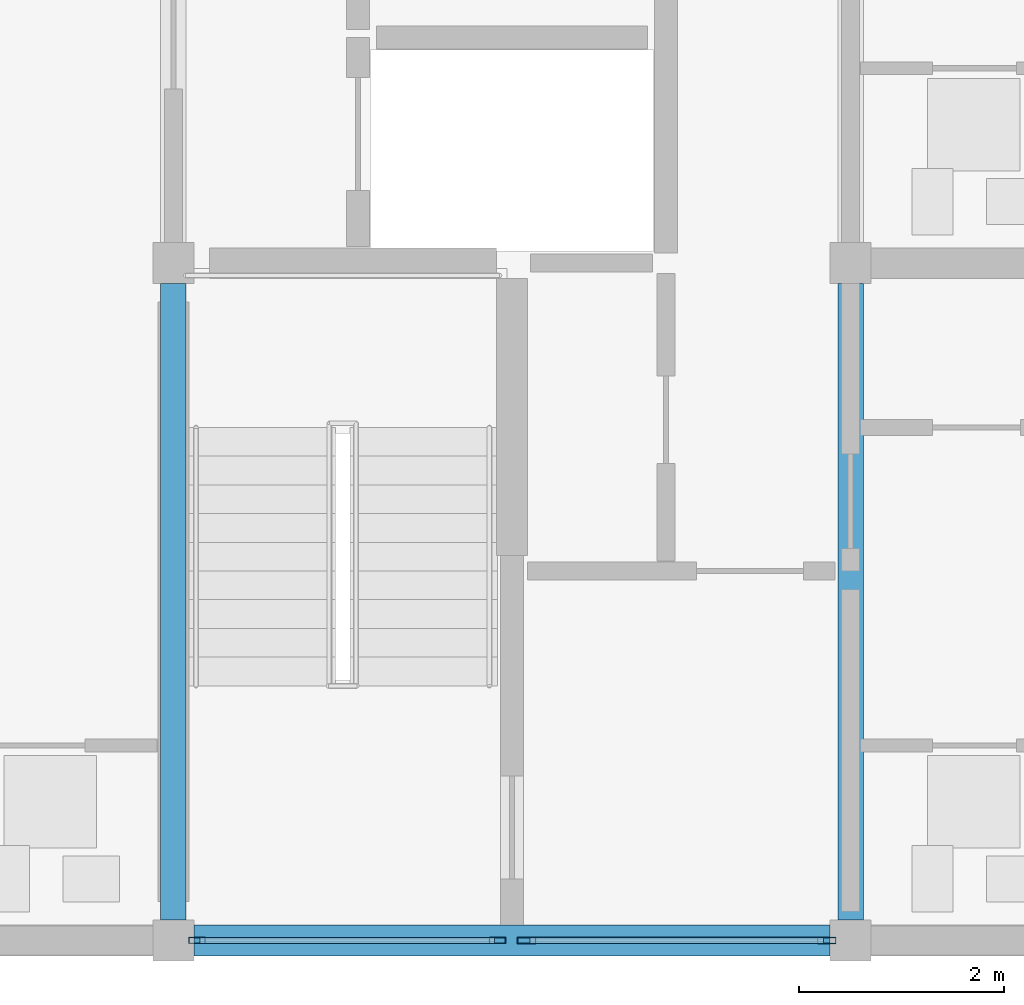
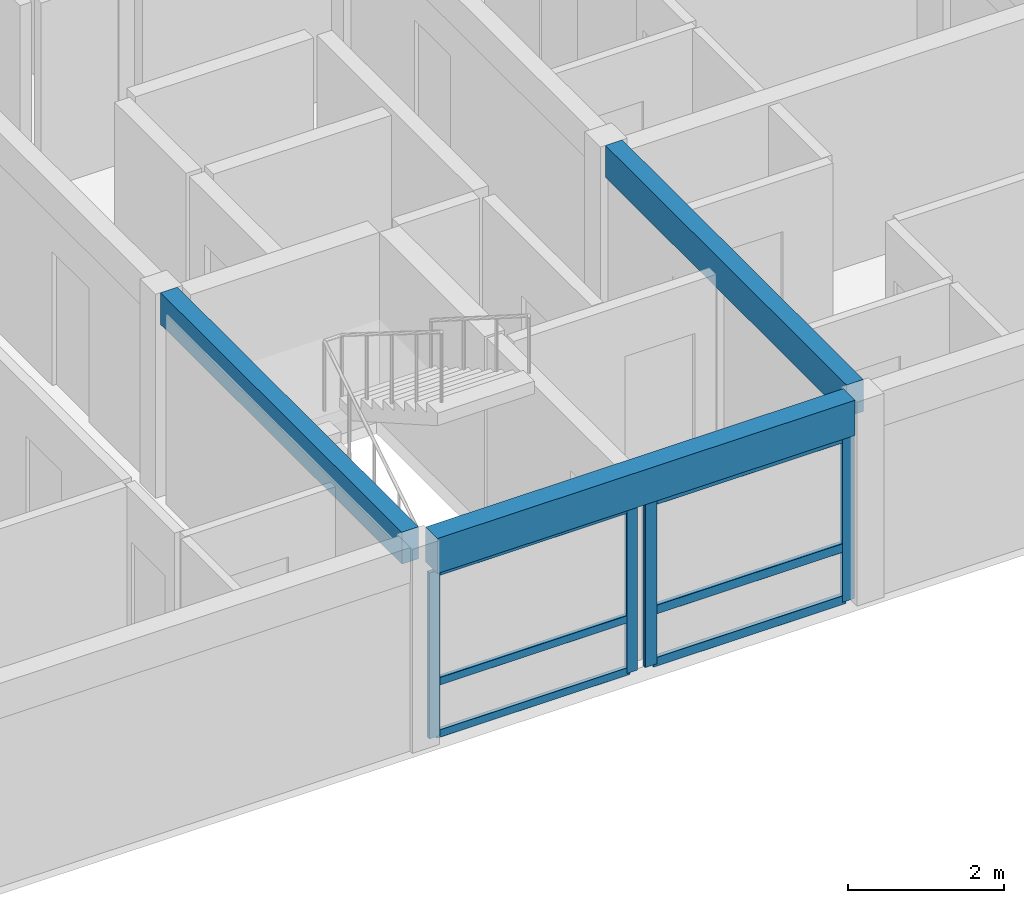
# One storey, part 5 of 34: 10 members, 3 beams, 2 elements without a shape of their own.
"""IFC4 building model written with IfcOpenShell, lengths in metres."""

from ifc_helpers import new_model, si_unit, direction, frame, origin, origin_2d, place, context, subcontext, project, spatial, rectangle, hollow_rectangle, extrude, material, material_profile, profile_set, type_object, element, aggregate, save


model = new_model("IFC4")

# Units and contexts
model_context = context("Model", 3, precision=1e-05, world=origin(), true_north=direction((0.0, 1.0)))
body_context = subcontext(model_context, "Body", "Model", "MODEL_VIEW")
ifc_project = project(units=[si_unit("LENGTHUNIT", "METRE"), si_unit("AREAUNIT", "SQUARE_METRE"), si_unit("VOLUMEUNIT", "CUBIC_METRE"), si_unit("PLANEANGLEUNIT", "RADIAN"), si_unit("MASSUNIT", "GRAM", prefix="KILO")], contexts=[model_context])

# Site, building, storey
site_placement = place(None, origin())
site = spatial("IfcSite", under=ifc_project, at=site_placement, CompositionType="ELEMENT")
building_placement = place(site_placement, origin())
building = spatial("IfcBuilding", under=site, at=building_placement, Name="Kernevlak Ridge Housing Community", CompositionType="ELEMENT")
storey_placement = place(building_placement, frame((0.0, 0.0, 34.0)))
storey = spatial("IfcBuildingStorey", under=building, at=storey_placement, Name="L10", CompositionType="ELEMENT", Elevation=34.0)

# Beams
ifc_material_1 = material(Name="Concrete C35/45", Category="concrete")
ifc_material_profile_1 = material_profile(ifc_material_1, rectangle(XDim=0.25, YDim=0.5, at=origin_2d()), Name="RC 250x500")
ifc_profile_set_1 = profile_set([ifc_material_profile_1], Name="Concrete C35/45")
beam_type_1 = type_object("IfcBeamType", Name="B-06", PredefinedType="T_BEAM", material=ifc_profile_set_1)
for number, where, z_axis, x_axis, name in (
    (1, (132.60009765625, 15.800048828125, 2.949951171875), (0.0, 1.0, 0.0), (-1.0, 0.0, 0.0), "Beam B-06 L10 1226"),
    (2, (139.199951171875, 15.800048828125, 2.949951171875), (0.0, 1.0, 0.0), (-1.0, 0.0, 0.0), "Beam B-06 L10 1230"),
):
    element("IfcBeam", number, at=place(storey_placement, frame(where, z_axis=z_axis, x_axis=x_axis)), inside=storey, type_object=beam_type_1, Name=name, PredefinedType="T_BEAM", context=body_context, shape_type="SweptSolid", body=[
        extrude(rectangle(XDim=0.25, YDim=0.5, at=origin_2d()), origin(), (0.0, 0.0, 1.0), 6.199951171875),
    ])

# Curtain wall, members
ifc_material_2 = material(Name="Aluminium EN AW-6060 anodised and laminated glass", Category="aluminium")
curtain_wall_type_1 = type_object("IfcCurtainWallType", Name="CW-07", PredefinedType="NOTDEFINED", material=ifc_material_2)
curtain_wall_1_placement = place(storey_placement, origin())
curtain_wall_1 = element("IfcCurtainWall", 3, at=curtain_wall_1_placement, inside=storey, type_object=curtain_wall_type_1, Name="Curtain wall CW-07 CW-L10-130", PredefinedType="NOTDEFINED")
ifc_material_3 = material(Name="Aluminium EN AW-6060 anodised", Category="aluminium")
ifc_material_profile_2 = material_profile(ifc_material_3, hollow_rectangle(XDim=0.06005859375, YDim=0.159912109375, WallThickness=0.00390625, InnerFilletRadius=0.001953125, OuterFilletRadius=0.00390625, at=origin_2d()), Name="ALU 60x160x4")
ifc_profile_set_2 = profile_set([ifc_material_profile_2], Name="Aluminium EN AW-6060 anodised")
member_type_1 = type_object("IfcMemberType", Name="MU-02", PredefinedType="MULLION", material=ifc_profile_set_2)
member_1_placement = place(storey_placement, frame((132.830078125, 15.60009765625, 0.0), z_axis=(0.0, 0.0, 1.0), x_axis=(0.0, 1.0, 0.0)))
member_1 = element("IfcMember", 4, at=member_1_placement, type_object=member_type_1, Name="CW-07 mullion 1", PredefinedType="MULLION", context=body_context, shape_type="SweptSolid", body=[
    extrude(hollow_rectangle(XDim=0.06005859375, YDim=0.159912109375, WallThickness=0.00390625, InnerFilletRadius=0.001953125, OuterFilletRadius=0.00390625, at=origin_2d()), origin(), (0.0, 0.0, 1.0), 2.60009765625),
])
member_2_placement = place(storey_placement, frame((135.760009765625, 15.60009765625, 0.0), z_axis=(0.0, 0.0, 1.0), x_axis=(0.0, 1.0, 0.0)))
member_2 = element("IfcMember", 5, at=member_2_placement, type_object=member_type_1, Name="CW-07 mullion 2", PredefinedType="MULLION", context=body_context, shape_type="SweptSolid", body=[
    extrude(hollow_rectangle(XDim=0.06005859375, YDim=0.159912109375, WallThickness=0.00390625, InnerFilletRadius=0.001953125, OuterFilletRadius=0.00390625, at=origin_2d()), origin(), (0.0, 0.0, 1.0), 2.60009765625),
])

curtain_wall_type_2 = type_object("IfcCurtainWallType", Name="CW-14", PredefinedType="NOTDEFINED", material=ifc_material_2)
curtain_wall_2_placement = place(storey_placement, origin())
curtain_wall_2 = element("IfcCurtainWall", 6, at=curtain_wall_2_placement, inside=storey, type_object=curtain_wall_type_2, Name="Curtain wall CW-14 CW-L10-131", PredefinedType="NOTDEFINED")
ifc_material_profile_3 = material_profile(ifc_material_3, hollow_rectangle(XDim=0.06494140625, YDim=0.179931640625, WallThickness=0.00439453125, InnerFilletRadius=0.001953125, OuterFilletRadius=0.00439453125, at=origin_2d()), Name="ALU 65x180x4.5")
ifc_profile_set_3 = profile_set([ifc_material_profile_3], Name="Aluminium EN AW-6060 anodised")
member_type_2 = type_object("IfcMemberType", Name="MU-03", PredefinedType="MULLION", material=ifc_profile_set_3)
member_3_placement = place(storey_placement, frame((136.04248046875, 15.60009765625, 0.0), z_axis=(0.0, 0.0, 1.0), x_axis=(0.0, 1.0, 0.0)))
member_3 = element("IfcMember", 7, at=member_3_placement, type_object=member_type_2, Name="CW-14 mullion 1", PredefinedType="MULLION", context=body_context, shape_type="SweptSolid", body=[
    extrude(hollow_rectangle(XDim=0.06494140625, YDim=0.179931640625, WallThickness=0.00439453125, InnerFilletRadius=0.001953125, OuterFilletRadius=0.00439453125, at=origin_2d()), origin(), (0.0, 0.0, 1.0), 2.60009765625),
])
member_4_placement = place(storey_placement, frame((138.967529296875, 15.60009765625, 0.0), z_axis=(0.0, 0.0, 1.0), x_axis=(0.0, 1.0, 0.0)))
member_4 = element("IfcMember", 8, at=member_4_placement, type_object=member_type_2, Name="CW-14 mullion 2", PredefinedType="MULLION", context=body_context, shape_type="SweptSolid", body=[
    extrude(hollow_rectangle(XDim=0.06494140625, YDim=0.179931640625, WallThickness=0.00439453125, InnerFilletRadius=0.001953125, OuterFilletRadius=0.00439453125, at=origin_2d()), origin(), (0.0, 0.0, 1.0), 2.60009765625),
])

# Beam
ifc_material_profile_4 = material_profile(ifc_material_1, rectangle(XDim=0.300048828125, YDim=0.550048828125, at=origin_2d()), Name="RC 300x550")
ifc_profile_set_4 = profile_set([ifc_material_profile_4], Name="Concrete C35/45")
beam_type_2 = type_object("IfcBeamType", Name="SP-01", PredefinedType="SPANDREL", material=ifc_profile_set_4)
beam_placement = place(storey_placement, frame((132.800048828125, 15.60009765625, 2.925048828125), z_axis=(1.0, 0.0, 0.0), x_axis=(0.0, 1.0, 0.0)))
element("IfcBeam", 9, at=beam_placement, inside=storey, type_object=beam_type_2, Name="Beam SP-01 L10 1239", PredefinedType="SPANDREL", context=body_context, shape_type="SweptSolid", body=[
    extrude(rectangle(XDim=0.300048828125, YDim=0.550048828125, at=origin_2d()), origin(), (0.0, 0.0, 1.0), 6.199951171875),
])

# Member
ifc_material_profile_5 = material_profile(ifc_material_3, hollow_rectangle(XDim=0.06005859375, YDim=0.1201171875, WallThickness=0.00390625, InnerFilletRadius=0.001953125, OuterFilletRadius=0.00390625, at=origin_2d()), Name="ALU 60x120x4")
ifc_profile_set_5 = profile_set([ifc_material_profile_5], Name="Aluminium EN AW-6060 anodised")
member_type_3 = type_object("IfcMemberType", Name="TM-02", PredefinedType="USERDEFINED", material=ifc_profile_set_5)
member_5_placement = place(storey_placement, frame((132.860107421875, 15.60009765625, 0.030029296875), z_axis=(1.0, 0.0, 0.0), x_axis=(0.0, 1.0, 0.0)))
member_5 = element("IfcMember", 10, at=member_5_placement, type_object=member_type_3, Name="CW-07 transom 1.1", ObjectType="TRANSOM", PredefinedType="USERDEFINED", context=body_context, shape_type="SweptSolid", body=[
    extrude(hollow_rectangle(XDim=0.06005859375, YDim=0.1201171875, WallThickness=0.00390625, InnerFilletRadius=0.001953125, OuterFilletRadius=0.00390625, at=origin_2d()), origin(), (0.0, 0.0, 1.0), 2.869873046875),
])

member_6_placement = place(storey_placement, frame((132.860107421875, 15.60009765625, 0.85009765625), z_axis=(1.0, 0.0, 0.0), x_axis=(0.0, 1.0, 0.0)))
member_6 = element("IfcMember", 11, at=member_6_placement, type_object=member_type_3, Name="CW-07 transom 1.2", ObjectType="TRANSOM", PredefinedType="USERDEFINED", context=body_context, shape_type="SweptSolid", body=[
    extrude(hollow_rectangle(XDim=0.06005859375, YDim=0.1201171875, WallThickness=0.00390625, InnerFilletRadius=0.001953125, OuterFilletRadius=0.00390625, at=origin_2d()), origin(), (0.0, 0.0, 1.0), 2.869873046875),
])

member_7_placement = place(storey_placement, frame((132.860107421875, 15.60009765625, 2.570068359375), z_axis=(1.0, 0.0, 0.0), x_axis=(0.0, 1.0, 0.0)))
member_7 = element("IfcMember", 12, at=member_7_placement, type_object=member_type_3, Name="CW-07 transom 1.3", ObjectType="TRANSOM", PredefinedType="USERDEFINED", context=body_context, shape_type="SweptSolid", body=[
    extrude(hollow_rectangle(XDim=0.06005859375, YDim=0.1201171875, WallThickness=0.00390625, InnerFilletRadius=0.001953125, OuterFilletRadius=0.00390625, at=origin_2d()), origin(), (0.0, 0.0, 1.0), 2.869873046875),
])

aggregate(curtain_wall_1, [member_1, member_2, member_5, member_6, member_7])

ifc_material_profile_6 = material_profile(ifc_material_3, hollow_rectangle(XDim=0.06494140625, YDim=0.139892578125, WallThickness=0.00390625, InnerFilletRadius=0.001953125, OuterFilletRadius=0.00390625, at=origin_2d()), Name="ALU 65x140x4")
ifc_profile_set_6 = profile_set([ifc_material_profile_6], Name="Aluminium EN AW-6060 anodised")
member_type_4 = type_object("IfcMemberType", Name="TM-03", PredefinedType="USERDEFINED", material=ifc_profile_set_6)
member_8_placement = place(storey_placement, frame((136.074951171875, 15.60009765625, 0.032470703125), z_axis=(1.0, 0.0, 0.0), x_axis=(0.0, 1.0, 0.0)))
member_8 = element("IfcMember", 13, at=member_8_placement, type_object=member_type_4, Name="CW-14 transom 1.1", ObjectType="TRANSOM", PredefinedType="USERDEFINED", context=body_context, shape_type="SweptSolid", body=[
    extrude(hollow_rectangle(XDim=0.06494140625, YDim=0.139892578125, WallThickness=0.00390625, InnerFilletRadius=0.001953125, OuterFilletRadius=0.00390625, at=origin_2d()), origin(), (0.0, 0.0, 1.0), 2.860107421875),
])

member_9_placement = place(storey_placement, frame((136.074951171875, 15.60009765625, 0.85009765625), z_axis=(1.0, 0.0, 0.0), x_axis=(0.0, 1.0, 0.0)))
member_9 = element("IfcMember", 14, at=member_9_placement, type_object=member_type_4, Name="CW-14 transom 1.2", ObjectType="TRANSOM", PredefinedType="USERDEFINED", context=body_context, shape_type="SweptSolid", body=[
    extrude(hollow_rectangle(XDim=0.06494140625, YDim=0.139892578125, WallThickness=0.00390625, InnerFilletRadius=0.001953125, OuterFilletRadius=0.00390625, at=origin_2d()), origin(), (0.0, 0.0, 1.0), 2.860107421875),
])

member_10_placement = place(storey_placement, frame((136.074951171875, 15.60009765625, 2.5673828125), z_axis=(1.0, 0.0, 0.0), x_axis=(0.0, 1.0, 0.0)))
member_10 = element("IfcMember", 15, at=member_10_placement, type_object=member_type_4, Name="CW-14 transom 1.3", ObjectType="TRANSOM", PredefinedType="USERDEFINED", context=body_context, shape_type="SweptSolid", body=[
    extrude(hollow_rectangle(XDim=0.06494140625, YDim=0.139892578125, WallThickness=0.00390625, InnerFilletRadius=0.001953125, OuterFilletRadius=0.00390625, at=origin_2d()), origin(), (0.0, 0.0, 1.0), 2.860107421875),
])

aggregate(curtain_wall_2, [member_3, member_4, member_8, member_9, member_10])

save(model, "model.ifc")
